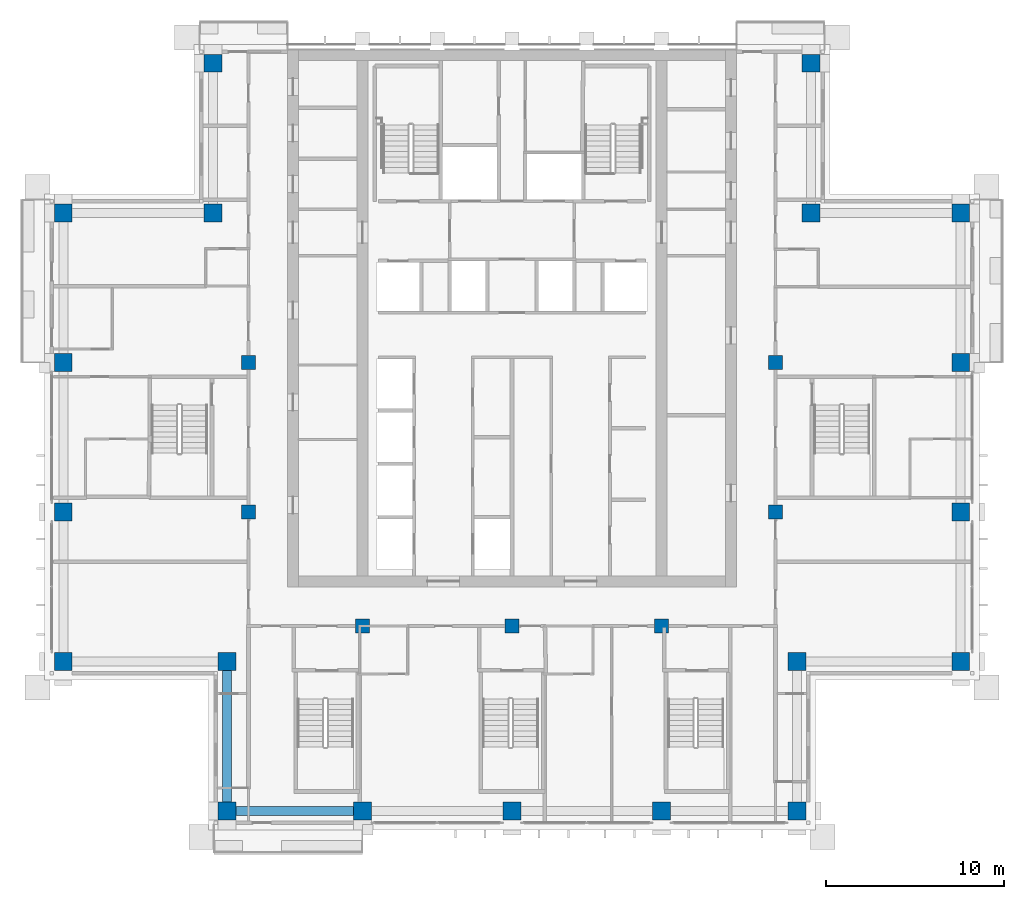
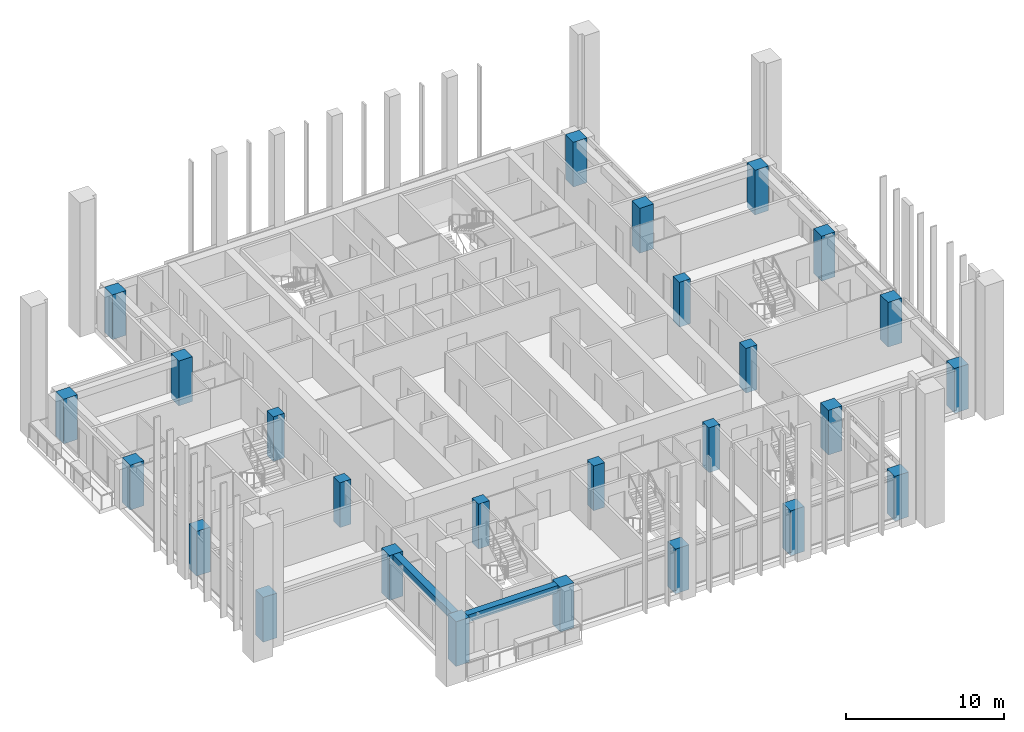
# One storey, part 1 of 17: 26 columns, 2 beams.
"""IFC4 building model written with IfcOpenShell, lengths in metres."""

from ifc_helpers import new_model, si_unit, direction, frame, origin, origin_2d, place, context, subcontext, project, spatial, rectangle, extrude, material, material_profile, profile_set, type_object, element, save


model = new_model("IFC4")

# Units and contexts
model_context = context("Model", 3, precision=1e-05, world=origin(), true_north=direction((0.0, 1.0)))
body_context = subcontext(model_context, "Body", "Model", "MODEL_VIEW")
ifc_project = project(units=[si_unit("LENGTHUNIT", "METRE"), si_unit("AREAUNIT", "SQUARE_METRE"), si_unit("VOLUMEUNIT", "CUBIC_METRE"), si_unit("PLANEANGLEUNIT", "RADIAN"), si_unit("MASSUNIT", "GRAM", prefix="KILO")], contexts=[model_context])

# Site, building, storey
site_placement = place(None, origin())
site = spatial("IfcSite", under=ifc_project, at=site_placement, CompositionType="ELEMENT")
building_placement = place(site_placement, origin())
building = spatial("IfcBuilding", under=site, at=building_placement, Name="Vermilion Ogive Tower", CompositionType="ELEMENT")
storey_placement = place(building_placement, frame((0.0, 0.0, 175.550048828125)))
storey = spatial("IfcBuildingStorey", under=building, at=storey_placement, Name="L45", CompositionType="ELEMENT", Elevation=175.550048828125)

# Columns
ifc_material_1 = material(Name="Concrete B60", Category="concrete")
ifc_material_profile_1 = material_profile(ifc_material_1, rectangle(XDim=1.0, YDim=1.0, at=origin_2d()), Name="1000 x 1000")
ifc_profile_set_1 = profile_set([ifc_material_profile_1], Name="Concrete B60")
column_type_1 = type_object("IfcColumnType", Name="Perimeter column 1000 x 1000 B60", PredefinedType="COLUMN", material=ifc_profile_set_1)
for number, where, z_axis, x_axis, name in (
    (1, (-16.0, -21.0, -0.400146484375), (0.0, 0.0, 1.0), (1.0, 0.0, 0.0), "COL-L45-P-0160-210"),
    (2, (-8.39990234375, -21.0, -0.400146484375), (0.0, 0.0, 1.0), (1.0, 0.0, 0.0), "COL-L45-P-0084-210"),
    (3, (0.0, -21.0, -0.400146484375), (0.0, 0.0, 1.0), (1.0, 0.0, 0.0), "COL-L45-P+0000-210"),
    (4, (8.39990234375, -21.0, -0.400146484375), (0.0, 0.0, 1.0), (1.0, 0.0, 0.0), "COL-L45-P+0084-210"),
    (5, (16.0, -21.0, -0.400146484375), (0.0, 0.0, 1.0), (1.0, 0.0, 0.0), "COL-L45-P+0160-210"),
    (6, (-25.199951171875, -12.60009765625, -0.400146484375), (0.0, 0.0, 1.0), (1.0, 0.0, 0.0), "COL-L45-P-0252-126"),
    (7, (-16.0, -12.60009765625, -0.400146484375), (0.0, 0.0, 1.0), (1.0, 0.0, 0.0), "COL-L45-P-0160-126"),
    (8, (16.0, -12.60009765625, -0.400146484375), (0.0, 0.0, 1.0), (1.0, 0.0, 0.0), "COL-L45-P+0160-126"),
    (9, (25.199951171875, -12.60009765625, -0.400146484375), (0.0, 0.0, 1.0), (1.0, 0.0, 0.0), "COL-L45-P+0252-126"),
    (10, (-25.199951171875, -4.199951171875, -0.400146484375), (0.0, 0.0, 1.0), (1.0, 0.0, 0.0), "COL-L45-P-0252-042"),
    (11, (25.199951171875, -4.199951171875, -0.400146484375), (0.0, 0.0, 1.0), (1.0, 0.0, 0.0), "COL-L45-P+0252-042"),
    (12, (-25.199951171875, 4.199951171875, -0.400146484375), (0.0, 0.0, 1.0), (1.0, 0.0, 0.0), "COL-L45-P-0252+042"),
    (13, (25.199951171875, 4.199951171875, -0.400146484375), (0.0, 0.0, 1.0), (1.0, 0.0, 0.0), "COL-L45-P+0252+042"),
    (14, (-25.199951171875, 12.60009765625, -0.400146484375), (0.0, 0.0, 1.0), (1.0, 0.0, 0.0), "COL-L45-P-0252+126"),
    (15, (-16.800048828125, 12.60009765625, -0.400146484375), (0.0, 0.0, 1.0), (1.0, 0.0, 0.0), "COL-L45-P-0168+126"),
    (16, (16.800048828125, 12.60009765625, -0.400146484375), (0.0, 0.0, 1.0), (1.0, 0.0, 0.0), "COL-L45-P+0168+126"),
    (17, (25.199951171875, 12.60009765625, -0.400146484375), (0.0, 0.0, 1.0), (1.0, 0.0, 0.0), "COL-L45-P+0252+126"),
    (18, (-16.800048828125, 21.0, -0.400146484375), (0.0, 0.0, 1.0), (1.0, 0.0, 0.0), "COL-L45-P-0168+210"),
    (19, (16.800048828125, 21.0, -0.400146484375), (0.0, 0.0, 1.0), (1.0, 0.0, 0.0), "COL-L45-P+0168+210"),
):
    element("IfcColumn", number, at=place(storey_placement, frame(where, z_axis=z_axis, x_axis=x_axis)), inside=storey, type_object=column_type_1, Name=name, PredefinedType="COLUMN", context=body_context, shape_type="SweptSolid", body=[
        extrude(rectangle(XDim=1.0, YDim=1.0, at=origin_2d()), origin(), (0.0, 0.0, 1.0), 3.4501953125),
    ])
ifc_material_2 = material(Name="Concrete B60", Category="concrete")
ifc_material_profile_2 = material_profile(ifc_material_2, rectangle(XDim=0.800048828125, YDim=0.800048828125, at=origin_2d()), Name="800 x 800")
ifc_profile_set_2 = profile_set([ifc_material_profile_2], Name="Concrete B60")
column_type_2 = type_object("IfcColumnType", Name="Ring column 800 x 800 B60", PredefinedType="COLUMN", material=ifc_profile_set_2)
for number, where, z_axis, x_axis, name in (
    (20, (-8.39990234375, -10.60009765625, -0.400146484375), (0.0, 0.0, 1.0), (1.0, 0.0, 0.0), "COL-L45-R-0084-106"),
    (21, (0.0, -10.60009765625, -0.400146484375), (0.0, 0.0, 1.0), (1.0, 0.0, 0.0), "COL-L45-R+0000-106"),
    (22, (8.39990234375, -10.60009765625, -0.400146484375), (0.0, 0.0, 1.0), (1.0, 0.0, 0.0), "COL-L45-R+0084-106"),
    (23, (-14.800048828125, -4.199951171875, -0.400146484375), (0.0, 0.0, 1.0), (1.0, 0.0, 0.0), "COL-L45-R-0148-042"),
    (24, (14.800048828125, -4.199951171875, -0.400146484375), (0.0, 0.0, 1.0), (1.0, 0.0, 0.0), "COL-L45-R+0148-042"),
    (25, (-14.800048828125, 4.199951171875, -0.400146484375), (0.0, 0.0, 1.0), (1.0, 0.0, 0.0), "COL-L45-R-0148+042"),
    (26, (14.800048828125, 4.199951171875, -0.400146484375), (0.0, 0.0, 1.0), (1.0, 0.0, 0.0), "COL-L45-R+0148+042"),
):
    element("IfcColumn", number, at=place(storey_placement, frame(where, z_axis=z_axis, x_axis=x_axis)), inside=storey, type_object=column_type_2, Name=name, PredefinedType="COLUMN", context=body_context, shape_type="SweptSolid", body=[
        extrude(rectangle(XDim=0.800048828125, YDim=0.800048828125, at=origin_2d()), origin(), (0.0, 0.0, 1.0), 3.4501953125),
    ])

# Beams
ifc_material_3 = material(Name="Concrete B45", Category="concrete")
ifc_material_profile_3 = material_profile(ifc_material_3, rectangle(XDim=0.5, YDim=0.550048828125, at=origin_2d()), Name="500 x 550")
ifc_profile_set_3 = profile_set([ifc_material_profile_3], Name="Concrete B45")
beam_type = type_object("IfcBeamType", Name="Edge beam 500 x 550 B45", PredefinedType="BEAM", material=ifc_profile_set_3)
beam_1_placement = place(storey_placement, frame((-15.5, -21.0, 2.77490234375), z_axis=(1.0, 0.0, 0.0), x_axis=(0.0, 1.0, 0.0)))
element("IfcBeam", 27, at=beam_1_placement, inside=storey, type_object=beam_type, Name="L45-EB-1", PredefinedType="BEAM", context=body_context, shape_type="SweptSolid", body=[
    extrude(rectangle(XDim=0.5, YDim=0.550048828125, at=origin_2d()), origin(), (0.0, 0.0, 1.0), 6.60009765625),
])
beam_2_placement = place(storey_placement, frame((-16.0, -13.10009765625, 2.77490234375), z_axis=(0.0, -1.0, 0.0), x_axis=(1.0, 0.0, 0.0)))
element("IfcBeam", 28, at=beam_2_placement, inside=storey, type_object=beam_type, Name="L45-EB-18", PredefinedType="BEAM", context=body_context, shape_type="SweptSolid", body=[
    extrude(rectangle(XDim=0.5, YDim=0.550048828125, at=origin_2d()), origin(), (0.0, 0.0, 1.0), 7.39990234375),
])

save(model, "model.ifc")
